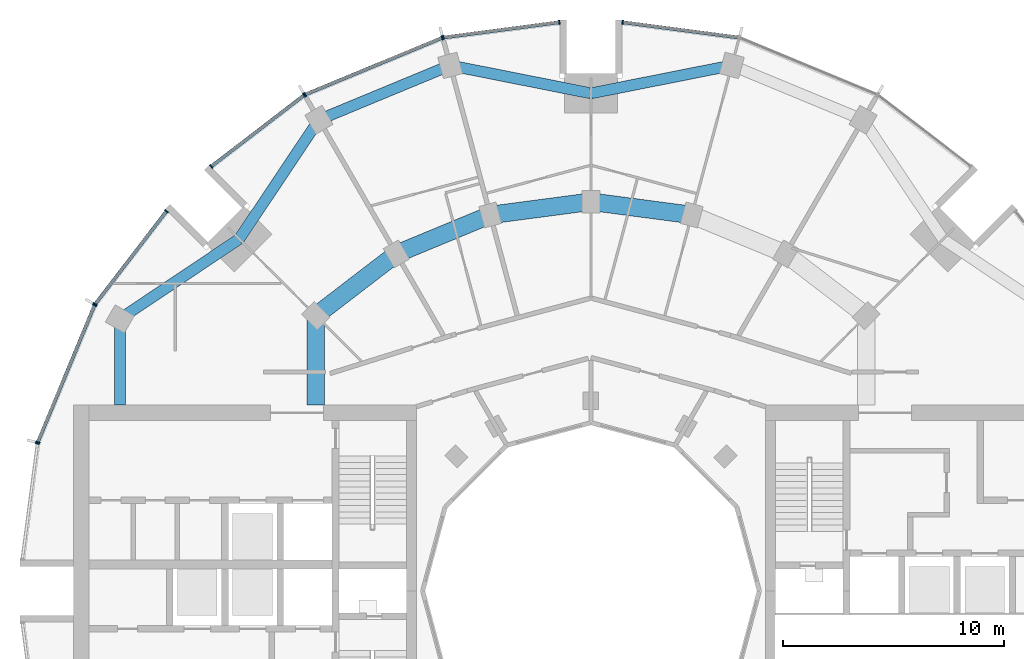
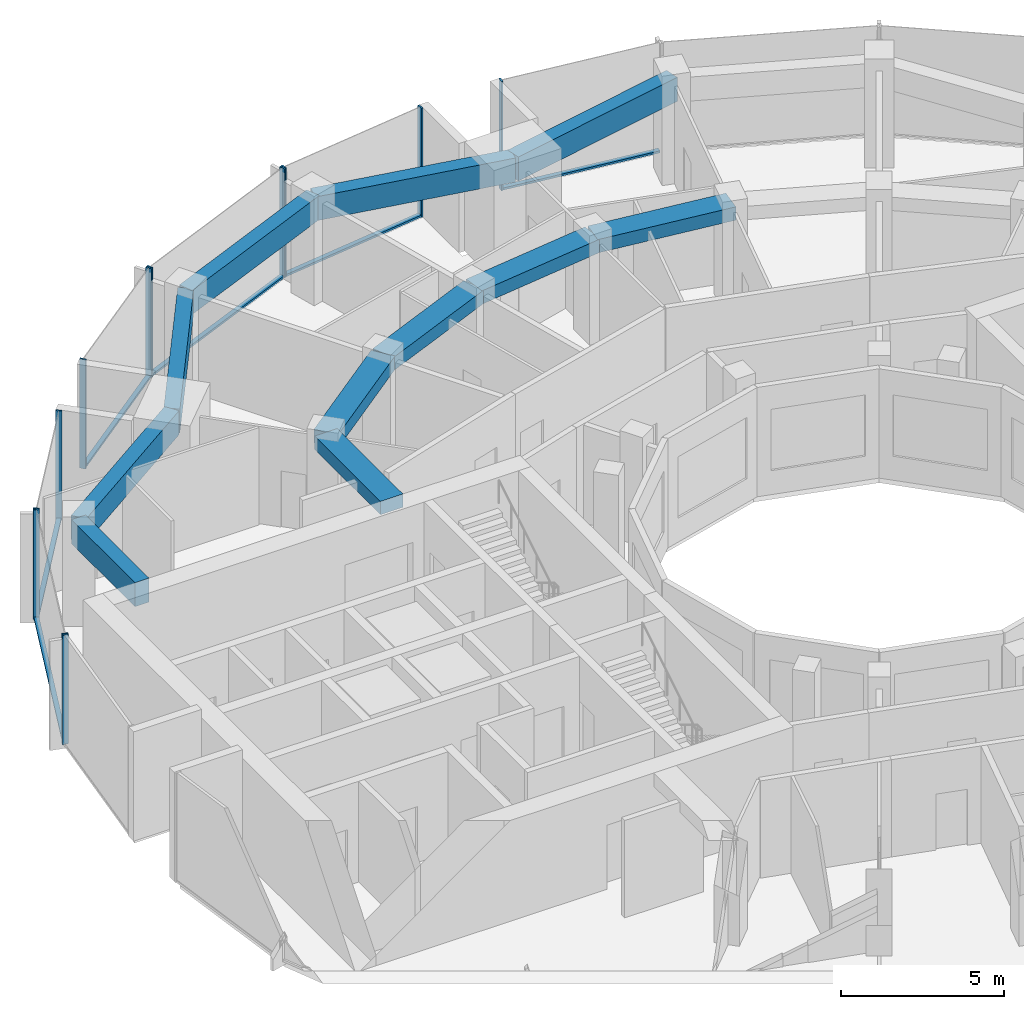
# One storey, part 5 of 15: 18 members, 11 beams, 7 elements without a shape of their own.
"""IFC4 building model written with IfcOpenShell, lengths in metres."""

from ifc_helpers import new_model, si_unit, direction, frame, origin, origin_2d, place, context, subcontext, project, spatial, rectangle, extrude, material, layer, layer_set, material_profile, profile_set, type_object, element, aggregate, save


model = new_model("IFC4")

# Units and contexts
model_context = context("Model", 3, precision=1e-05, world=origin(), true_north=direction((0.0, 1.0)))
body_context = subcontext(model_context, "Body", "Model", "MODEL_VIEW")
ifc_project = project(units=[si_unit("LENGTHUNIT", "METRE"), si_unit("AREAUNIT", "SQUARE_METRE"), si_unit("VOLUMEUNIT", "CUBIC_METRE"), si_unit("PLANEANGLEUNIT", "RADIAN"), si_unit("MASSUNIT", "GRAM", prefix="KILO")], contexts=[model_context])

# Site, building, storey
site_placement = place(None, origin())
site = spatial("IfcSite", under=ifc_project, at=site_placement, CompositionType="ELEMENT")
building_placement = place(site_placement, origin())
building = spatial("IfcBuilding", under=site, at=building_placement, Name="Torre Brocal", CompositionType="ELEMENT")
storey_placement = place(building_placement, frame((0.0, 0.0, 190.5)))
storey = spatial("IfcBuildingStorey", under=building, at=storey_placement, Name="L44", CompositionType="ELEMENT", Elevation=190.5)

# Curtain wall, member
ifc_material_1 = material(Name="Aluminium and glass", Category="aluminium")
ifc_layer_1 = layer(ifc_material_1, 0.199951171875)
ifc_layer_set_1 = layer_set([ifc_layer_1], Name="Aluminium and glass")
curtain_wall_type_1 = type_object("IfcCurtainWallType", Name="CW-1 CURTAIN WALL 4100 HIGH", PredefinedType="NOTDEFINED", material=ifc_layer_set_1)
curtain_wall_1_placement = place(storey_placement, origin())
curtain_wall_1 = element("IfcCurtainWall", 1, at=curtain_wall_1_placement, inside=storey, type_object=curtain_wall_type_1, Name="CW-1 RUN 6", PredefinedType="NOTDEFINED")
ifc_material_2 = material(Name="Aluminium, dark anodised", Category="aluminium")
ifc_material_profile_1 = material_profile(ifc_material_2, rectangle(XDim=0.199951171875, YDim=0.06005859375, at=origin_2d()), Name="CW-1 MULLION 60X200")
ifc_profile_set_1 = profile_set([ifc_material_profile_1], Name="Aluminium, dark anodised")
member_type_1 = type_object("IfcMemberType", Name="CW-1 MULLION 60X200", PredefinedType="MULLION", material=ifc_profile_set_1)
member_1_placement = place(storey_placement, frame((81.4296875, 100.7109375, 0.0), z_axis=(0.0, 0.0, 1.0), x_axis=(-0.13052619222, -0.991444861374, 0.0)))
member_1 = element("IfcMember", 2, at=member_1_placement, type_object=member_type_1, Name="CW1-4 mullion 2", PredefinedType="MULLION", context=body_context, shape_type="SweptSolid", body=[
    extrude(rectangle(XDim=0.199951171875, YDim=0.06005859375, at=origin_2d()), origin(), (0.0, 0.0, 1.0), 4.10009765625),
])

# Curtain wall, members
curtain_wall_2_placement = place(storey_placement, origin())
curtain_wall_2 = element("IfcCurtainWall", 3, at=curtain_wall_2_placement, inside=storey, type_object=curtain_wall_type_1, Name="CW-1 RUN 7", PredefinedType="NOTDEFINED")
member_2_placement = place(storey_placement, frame((78.5703125, 100.7109375, 0.0), z_axis=(0.0, 0.0, 1.0), x_axis=(0.13052619222, -0.991444861374, 0.0)))
member_2 = element("IfcMember", 4, at=member_2_placement, type_object=member_type_1, Name="CW1-4 mullion 1", PredefinedType="MULLION", context=body_context, shape_type="SweptSolid", body=[
    extrude(rectangle(XDim=0.199951171875, YDim=0.06005859375, at=origin_2d()), origin(), (0.0, 0.0, 1.0), 4.10009765625),
])
member_3_placement = place(storey_placement, frame((73.32666015625, 100.0205078125, 0.0), z_axis=(0.0, 0.0, 1.0), x_axis=(0.13052619222, -0.991444861374, 0.0)))
member_3 = element("IfcMember", 5, at=member_3_placement, type_object=member_type_1, Name="CW1-4 mullion 2", PredefinedType="MULLION", context=body_context, shape_type="SweptSolid", body=[
    extrude(rectangle(XDim=0.199951171875, YDim=0.06005859375, at=origin_2d()), origin(), (0.0, 0.0, 1.0), 4.10009765625),
])

curtain_wall_3_placement = place(storey_placement, origin())
curtain_wall_3 = element("IfcCurtainWall", 6, at=curtain_wall_3_placement, inside=storey, type_object=curtain_wall_type_1, Name="CW-1 RUN 8", PredefinedType="NOTDEFINED")
member_4_placement = place(storey_placement, frame((73.26904296875, 100.005126953125, 0.0), z_axis=(0.0, 0.0, 1.0), x_axis=(0.382683432333, -0.923879532525, 0.0)))
member_4 = element("IfcMember", 7, at=member_4_placement, type_object=member_type_1, Name="CW1-4 mullion 1", PredefinedType="MULLION", context=body_context, shape_type="SweptSolid", body=[
    extrude(rectangle(XDim=0.199951171875, YDim=0.06005859375, at=origin_2d()), origin(), (0.0, 0.0, 1.0), 4.10009765625),
])
member_5_placement = place(storey_placement, frame((67.078125, 97.440673828125, 0.0), z_axis=(0.0, 0.0, 1.0), x_axis=(0.382683432333, -0.923879532525, 0.0)))
member_5 = element("IfcMember", 8, at=member_5_placement, type_object=member_type_1, Name="CW1-4 mullion 2", PredefinedType="MULLION", context=body_context, shape_type="SweptSolid", body=[
    extrude(rectangle(XDim=0.199951171875, YDim=0.06005859375, at=origin_2d()), origin(), (0.0, 0.0, 1.0), 4.10009765625),
])

curtain_wall_4_placement = place(storey_placement, origin())
curtain_wall_4 = element("IfcCurtainWall", 9, at=curtain_wall_4_placement, inside=storey, type_object=curtain_wall_type_1, Name="CW-1 RUN 9", PredefinedType="NOTDEFINED")
member_6_placement = place(storey_placement, frame((67.026611328125, 97.4111328125, 0.0), z_axis=(0.0, 0.0, 1.0), x_axis=(0.60876142905, -0.793353340259, 0.0)))
member_6 = element("IfcMember", 10, at=member_6_placement, type_object=member_type_1, Name="CW1-4 mullion 1", PredefinedType="MULLION", context=body_context, shape_type="SweptSolid", body=[
    extrude(rectangle(XDim=0.199951171875, YDim=0.06005859375, at=origin_2d()), origin(), (0.0, 0.0, 1.0), 4.10009765625),
])
member_7_placement = place(storey_placement, frame((62.83056640625, 94.19140625, 0.0), z_axis=(0.0, 0.0, 1.0), x_axis=(0.60876142905, -0.793353340259, 0.0)))
member_7 = element("IfcMember", 11, at=member_7_placement, type_object=member_type_1, Name="CW1-4 mullion 2", PredefinedType="MULLION", context=body_context, shape_type="SweptSolid", body=[
    extrude(rectangle(XDim=0.199951171875, YDim=0.06005859375, at=origin_2d()), origin(), (0.0, 0.0, 1.0), 4.10009765625),
])

curtain_wall_5_placement = place(storey_placement, origin())
curtain_wall_5 = element("IfcCurtainWall", 12, at=curtain_wall_5_placement, inside=storey, type_object=curtain_wall_type_1, Name="CW-1 RUN 10", PredefinedType="NOTDEFINED")
member_8_placement = place(storey_placement, frame((60.80859375, 92.16943359375, 0.0), z_axis=(0.0, 0.0, 1.0), x_axis=(0.793353340259, -0.60876142905, 0.0)))
member_8 = element("IfcMember", 13, at=member_8_placement, type_object=member_type_1, Name="CW1-4 mullion 1", PredefinedType="MULLION", context=body_context, shape_type="SweptSolid", body=[
    extrude(rectangle(XDim=0.199951171875, YDim=0.06005859375, at=origin_2d()), origin(), (0.0, 0.0, 1.0), 4.10009765625),
])
member_9_placement = place(storey_placement, frame((57.5888671875, 87.973388671875, 0.0), z_axis=(0.0, 0.0, 1.0), x_axis=(0.793353340259, -0.60876142905, 0.0)))
member_9 = element("IfcMember", 14, at=member_9_placement, type_object=member_type_1, Name="CW1-4 mullion 2", PredefinedType="MULLION", context=body_context, shape_type="SweptSolid", body=[
    extrude(rectangle(XDim=0.199951171875, YDim=0.06005859375, at=origin_2d()), origin(), (0.0, 0.0, 1.0), 4.10009765625),
])

curtain_wall_6_placement = place(storey_placement, origin())
curtain_wall_6 = element("IfcCurtainWall", 15, at=curtain_wall_6_placement, inside=storey, type_object=curtain_wall_type_1, Name="CW-1 RUN 11", PredefinedType="NOTDEFINED")
member_10_placement = place(storey_placement, frame((57.559326171875, 87.921875, 0.0), z_axis=(0.0, 0.0, 1.0), x_axis=(0.923879532525, -0.382683432333, 0.0)))
member_10 = element("IfcMember", 16, at=member_10_placement, type_object=member_type_1, Name="CW1-4 mullion 1", PredefinedType="MULLION", context=body_context, shape_type="SweptSolid", body=[
    extrude(rectangle(XDim=0.199951171875, YDim=0.06005859375, at=origin_2d()), origin(), (0.0, 0.0, 1.0), 4.10009765625),
])
member_11_placement = place(storey_placement, frame((54.994873046875, 81.73095703125, 0.0), z_axis=(0.0, 0.0, 1.0), x_axis=(0.923879532525, -0.382683432333, 0.0)))
member_11 = element("IfcMember", 17, at=member_11_placement, type_object=member_type_1, Name="CW1-4 mullion 2", PredefinedType="MULLION", context=body_context, shape_type="SweptSolid", body=[
    extrude(rectangle(XDim=0.199951171875, YDim=0.06005859375, at=origin_2d()), origin(), (0.0, 0.0, 1.0), 4.10009765625),
])

# Member
ifc_material_3 = material(Name="Aluminium, dark anodised", Category="aluminium")
ifc_material_profile_2 = material_profile(ifc_material_3, rectangle(XDim=0.159912109375, YDim=0.080078125, at=origin_2d()), Name="CW-1 TRANSOM 160X80")
ifc_profile_set_2 = profile_set([ifc_material_profile_2], Name="Aluminium, dark anodised")
member_type_2 = type_object("IfcMemberType", Name="CW-1 TRANSOM 160X80", PredefinedType="USERDEFINED", material=ifc_profile_set_2)
member_12_placement = place(storey_placement, frame((86.643798828125, 100.0244140625, 0.0400390625), z_axis=(-0.991442690863, 0.130542677827, 0.0), x_axis=(-0.130542677827, -0.991442690863, 0.0)))
member_12 = element("IfcMember", 18, at=member_12_placement, type_object=member_type_2, Name="CW1-4 transom 1.1", ObjectType="TRANSOM", PredefinedType="USERDEFINED", context=body_context, shape_type="SweptSolid", body=[
    extrude(rectangle(XDim=0.159912109375, YDim=0.080078125, at=origin_2d()), origin(), (0.0, 0.0, 1.0), 5.22900390625),
])

aggregate(curtain_wall_1, [member_1, member_12])

member_13_placement = place(storey_placement, frame((78.54052734375, 100.70703125, 0.0400390625), z_axis=(-0.991442690863, -0.130542677827, 0.0), x_axis=(0.130542677827, -0.991442690863, 0.0)))
member_13 = element("IfcMember", 19, at=member_13_placement, type_object=member_type_2, Name="CW1-4 transom 1.1", ObjectType="TRANSOM", PredefinedType="USERDEFINED", context=body_context, shape_type="SweptSolid", body=[
    extrude(rectangle(XDim=0.159912109375, YDim=0.080078125, at=origin_2d()), origin(), (0.0, 0.0, 1.0), 5.22900390625),
])

aggregate(curtain_wall_2, [member_2, member_3, member_13])

member_14_placement = place(storey_placement, frame((73.241455078125, 99.99365234375, 0.0400390625), z_axis=(-0.923887344364, -0.38266457234, 0.0), x_axis=(0.38266457234, -0.923887344364, 0.0)))
member_14 = element("IfcMember", 20, at=member_14_placement, type_object=member_type_2, Name="CW1-4 transom 1.1", ObjectType="TRANSOM", PredefinedType="USERDEFINED", context=body_context, shape_type="SweptSolid", body=[
    extrude(rectangle(XDim=0.159912109375, YDim=0.080078125, at=origin_2d()), origin(), (0.0, 0.0, 1.0), 6.640869140625),
])

aggregate(curtain_wall_3, [member_4, member_5, member_14])

member_15_placement = place(storey_placement, frame((67.0029296875, 97.392822265625, 0.0400390625), z_axis=(-0.79336281513, -0.60874908096, 0.0), x_axis=(0.60874908096, -0.79336281513, 0.0)))
member_15 = element("IfcMember", 21, at=member_15_placement, type_object=member_type_2, Name="CW1-4 transom 1.1", ObjectType="TRANSOM", PredefinedType="USERDEFINED", context=body_context, shape_type="SweptSolid", body=[
    extrude(rectangle(XDim=0.159912109375, YDim=0.080078125, at=origin_2d()), origin(), (0.0, 0.0, 1.0), 5.22900390625),
])

aggregate(curtain_wall_4, [member_6, member_7, member_15])

member_16_placement = place(storey_placement, frame((60.790283203125, 92.1455078125, 0.0400390625), z_axis=(-0.60874908096, -0.79336281513, 0.0), x_axis=(0.79336281513, -0.60874908096, 0.0)))
member_16 = element("IfcMember", 22, at=member_16_placement, type_object=member_type_2, Name="CW1-4 transom 1.1", ObjectType="TRANSOM", PredefinedType="USERDEFINED", context=body_context, shape_type="SweptSolid", body=[
    extrude(rectangle(XDim=0.159912109375, YDim=0.080078125, at=origin_2d()), origin(), (0.0, 0.0, 1.0), 5.22900390625),
])

aggregate(curtain_wall_5, [member_8, member_9, member_16])

member_17_placement = place(storey_placement, frame((57.547607421875, 87.89404296875, 0.0400390625), z_axis=(-0.38266457234, -0.923887344364, 0.0), x_axis=(0.923887344364, -0.38266457234, 0.0)))
member_17 = element("IfcMember", 23, at=member_17_placement, type_object=member_type_2, Name="CW1-4 transom 1.1", ObjectType="TRANSOM", PredefinedType="USERDEFINED", context=body_context, shape_type="SweptSolid", body=[
    extrude(rectangle(XDim=0.159912109375, YDim=0.080078125, at=origin_2d()), origin(), (0.0, 0.0, 1.0), 6.640869140625),
])

aggregate(curtain_wall_6, [member_10, member_11, member_17])

# Curtain wall, member
ifc_material_4 = material(Name="Aluminium and glass", Category="aluminium")
ifc_layer_2 = layer(ifc_material_4, 0.199951171875)
ifc_layer_set_2 = layer_set([ifc_layer_2], Name="Aluminium and glass")
curtain_wall_type_2 = type_object("IfcCurtainWallType", Name="CW-1B CURTAIN WALL 4100 HIGH", PredefinedType="NOTDEFINED", material=ifc_layer_set_2)
curtain_wall_7_placement = place(storey_placement, origin())
curtain_wall_7 = element("IfcCurtainWall", 24, at=curtain_wall_7_placement, inside=storey, type_object=curtain_wall_type_2, Name="CW-1B RUN 12", PredefinedType="NOTDEFINED")
ifc_material_5 = material(Name="Aluminium, dark anodised", Category="aluminium")
ifc_material_profile_3 = material_profile(ifc_material_5, rectangle(XDim=0.199951171875, YDim=0.06005859375, at=origin_2d()), Name="CW-1B MULLION 60X200")
ifc_profile_set_3 = profile_set([ifc_material_profile_3], Name="Aluminium, dark anodised")
member_type_3 = type_object("IfcMemberType", Name="CW-1B MULLION 60X200", PredefinedType="MULLION", material=ifc_profile_set_3)
member_18_placement = place(storey_placement, frame((54.9794921875, 81.67333984375, 0.0), z_axis=(0.0, 0.0, 1.0), x_axis=(0.991444861374, -0.13052619222, 0.0)))
member_18 = element("IfcMember", 25, at=member_18_placement, type_object=member_type_3, Name="CW1B-4 mullion 1", PredefinedType="MULLION", context=body_context, shape_type="SweptSolid", body=[
    extrude(rectangle(XDim=0.199951171875, YDim=0.06005859375, at=origin_2d()), origin(), (0.0, 0.0, 1.0), 4.10009765625),
])
aggregate(curtain_wall_7, [member_18])

# Beams
ifc_material_6 = material(Name="Concrete C50", Category="concrete")
ifc_material_profile_4 = material_profile(ifc_material_6, rectangle(XDim=0.800048828125, YDim=0.5, at=origin_2d()), Name="RC 800X500")
ifc_profile_set_4 = profile_set([ifc_material_profile_4], Name="Concrete C50")
beam_type_1 = type_object("IfcBeamType", Name="RC BEAM 800X500 C50 TOP 3780", PredefinedType="BEAM", material=ifc_profile_set_4)
for number, where, z_axis, x_axis, name in (
    (26, (84.55517578125, 92.000244140625, 3.530029296875), (-0.991440544449, 0.130558978332, 0.0), (-0.130558978332, -0.991440544449, 0.0), "Beam BT-32"),
    (27, (80.0, 92.60009765625, 3.530029296875), (-0.991440544449, -0.130558978332, 0.0), (0.130558978332, -0.991440544449, 0.0), "Beam BT-32"),
):
    element("IfcBeam", number, at=place(storey_placement, frame(where, z_axis=z_axis, x_axis=x_axis)), inside=storey, type_object=beam_type_1, Name=name, PredefinedType="BEAM", context=body_context, shape_type="SweptSolid", body=[
        extrude(rectangle(XDim=0.800048828125, YDim=0.5, at=origin_2d()), origin(), (0.0, 0.0, 1.0), 4.594482421875),
    ])
beam_1_placement = place(storey_placement, frame((75.44482421875, 92.000244140625, 3.530029296875), z_axis=(-0.923878240166, -0.382686552348, 0.0), x_axis=(0.382686552348, -0.923878240166, 0.0)))
element("IfcBeam", 28, at=beam_1_placement, inside=storey, type_object=beam_type_1, Name="Beam BT-32", PredefinedType="BEAM", context=body_context, shape_type="SweptSolid", body=[
    extrude(rectangle(XDim=0.800048828125, YDim=0.5, at=origin_2d()), origin(), (0.0, 0.0, 1.0), 4.5947265625),
])
beam_2_placement = place(storey_placement, frame((71.199951171875, 90.241943359375, 3.530029296875), z_axis=(-0.793358265959, -0.6087550097, 0.0), x_axis=(0.6087550097, -0.793358265959, 0.0)))
element("IfcBeam", 29, at=beam_2_placement, inside=storey, type_object=beam_type_1, Name="Beam BT-32", PredefinedType="BEAM", context=body_context, shape_type="SweptSolid", body=[
    extrude(rectangle(XDim=0.800048828125, YDim=0.5, at=origin_2d()), origin(), (0.0, 0.0, 1.0), 4.594482421875),
])
beam_3_placement = place(storey_placement, frame((67.554931640625, 87.445068359375, 3.530029296875), z_axis=(0.0, -1.0, 0.0), x_axis=(1.0, 0.0, 0.0)))
element("IfcBeam", 30, at=beam_3_placement, inside=storey, type_object=beam_type_1, Name="Beam BT-32", PredefinedType="BEAM", context=body_context, shape_type="SweptSolid", body=[
    extrude(rectangle(XDim=0.800048828125, YDim=0.5, at=origin_2d()), origin(), (0.0, 0.0, 1.0), 4.045166015625),
])
ifc_material_7 = material(Name="Concrete C50", Category="concrete")
ifc_material_profile_5 = material_profile(ifc_material_7, rectangle(XDim=0.5, YDim=0.89990234375, at=origin_2d()), Name="RC 500X900")
ifc_profile_set_5 = profile_set([ifc_material_profile_5], Name="Concrete C50")
beam_type_2 = type_object("IfcBeamType", Name="RC SPANDREL BEAM 500X900 C50 TOP 3780", PredefinedType="SPANDREL", material=ifc_profile_set_5)
for number, where, z_axis, x_axis, name in (
    (31, (86.366943359375, 98.76171875, 3.330078125), (-0.980924907484, -0.194387051723, 0.0), (0.194387051723, -0.980924907484, 0.0), "Beam BT-33"),
    (32, (80.0, 97.5, 3.330078125), (-0.980924907484, 0.194387051723, 0.0), (-0.194387051723, -0.980924907484, 0.0), "Beam BT-33"),
):
    element("IfcBeam", number, at=place(storey_placement, frame(where, z_axis=z_axis, x_axis=x_axis)), inside=storey, type_object=beam_type_2, Name=name, PredefinedType="SPANDREL", context=body_context, shape_type="SweptSolid", body=[
        extrude(rectangle(XDim=0.5, YDim=0.89990234375, at=origin_2d()), origin(), (0.0, 0.0, 1.0), 6.49072265625),
    ])
beam_4_placement = place(storey_placement, frame((73.633056640625, 98.76171875, 3.330078125), z_axis=(-0.923882462513, -0.382676358639, 0.0), x_axis=(0.382676358639, -0.923882462513, 0.0)))
element("IfcBeam", 33, at=beam_4_placement, inside=storey, type_object=beam_type_2, Name="Beam BT-33", PredefinedType="SPANDREL", context=body_context, shape_type="SweptSolid", body=[
    extrude(rectangle(XDim=0.5, YDim=0.89990234375, at=origin_2d()), origin(), (0.0, 0.0, 1.0), 6.421875),
])
for number, where, z_axis, x_axis, name in (
    (34, (67.699951171875, 96.30419921875, 3.330078125), (-0.556157602282, -0.831076844476, 0.0), (0.831076844476, -0.556157602282, 0.0), "Beam BT-33"),
    (35, (64.090087890625, 90.909912109375, 3.330078125), (-0.831076844476, -0.556157602282, 0.0), (0.556157602282, -0.831076844476, 0.0), "Beam BT-33"),
):
    element("IfcBeam", number, at=place(storey_placement, frame(where, z_axis=z_axis, x_axis=x_axis)), inside=storey, type_object=beam_type_2, Name=name, PredefinedType="SPANDREL", context=body_context, shape_type="SweptSolid", body=[
        extrude(rectangle(XDim=0.5, YDim=0.89990234375, at=origin_2d()), origin(), (0.0, 0.0, 1.0), 6.49072265625),
    ])
beam_5_placement = place(storey_placement, frame((58.69580078125, 87.300048828125, 3.330078125), z_axis=(0.0, -1.0, 0.0), x_axis=(1.0, 0.0, 0.0)))
element("IfcBeam", 36, at=beam_5_placement, inside=storey, type_object=beam_type_2, Name="Beam BT-33", PredefinedType="SPANDREL", context=body_context, shape_type="SweptSolid", body=[
    extrude(rectangle(XDim=0.5, YDim=0.89990234375, at=origin_2d()), origin(), (0.0, 0.0, 1.0), 3.900146484375),
])

save(model, "model.ifc")
